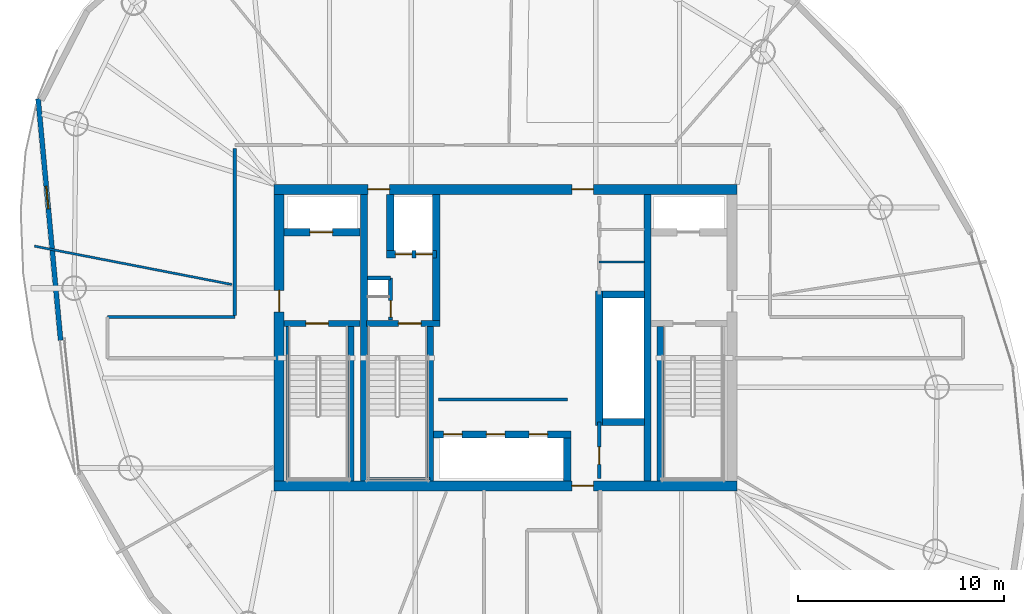
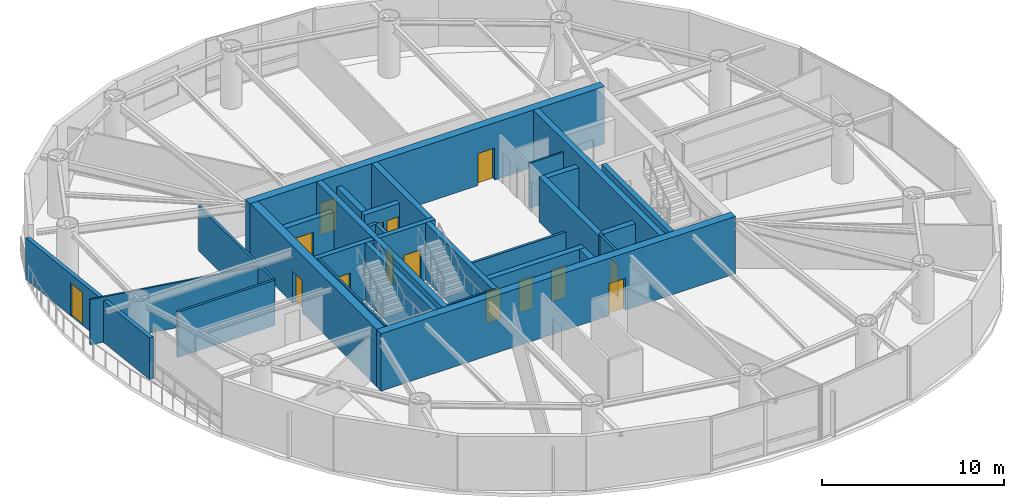
# One storey, part 13 of 18: 30 walls, 15 doors, 15 openings.
"""IFC4 building model written with IfcOpenShell, lengths in metres."""

from ifc_helpers import new_model, si_unit, direction, frame, frame_2d, origin, place, context, subcontext, project, spatial, rectangle, extrude, material, layer, layer_set, type_object, element, fill, save


model = new_model("IFC4")

# Units and contexts
model_context = context("Model", 3, precision=1e-05, world=origin(), true_north=direction((0.0, 1.0)))
body_context = subcontext(model_context, "Body", "Model", "MODEL_VIEW")
ifc_project = project(units=[si_unit("LENGTHUNIT", "METRE"), si_unit("AREAUNIT", "SQUARE_METRE"), si_unit("VOLUMEUNIT", "CUBIC_METRE"), si_unit("PLANEANGLEUNIT", "RADIAN"), si_unit("MASSUNIT", "GRAM", prefix="KILO")], contexts=[model_context])

# Site, building, storey
site_placement = place(None, origin())
site = spatial("IfcSite", under=ifc_project, at=site_placement, CompositionType="ELEMENT")
building_placement = place(site_placement, origin())
building = spatial("IfcBuilding", under=site, at=building_placement, Name="Bramvorn Convention Spire", CompositionType="ELEMENT")
storey_placement = place(building_placement, frame((0.0, 0.0, 182.75)))
storey = spatial("IfcBuildingStorey", under=building, at=storey_placement, Name="L46", CompositionType="ELEMENT", Elevation=182.75)

# Wall, opening, door
ifc_material_1 = material(Name="Concrete C50/60", Category="concrete")
ifc_layer_1 = layer(ifc_material_1, 0.5)
ifc_layer_set_1 = layer_set([ifc_layer_1], Name="Concrete C50/60 - WL-CORE-500")
wall_type_1 = type_object("IfcWallType", Name="WL-CORE-500", PredefinedType="SHEAR", material=ifc_layer_set_1)
wall_1_placement = place(storey_placement, frame((26.75, 18.800048828125, 0.0), z_axis=(0.0, 0.0, 1.0), x_axis=(1.0, 0.0, 0.0)))
wall_1 = element("IfcWall", 1, at=wall_1_placement, inside=storey, type_object=wall_type_1, Name="L46 South RC core shear wall", PredefinedType="SHEAR", context=body_context, shape_type="SweptSolid", body=[
    extrude(rectangle(XDim=22.5, YDim=0.5, at=frame_2d((11.25, 0.0))), origin(), (0.0, 0.0, 1.0), 3.85009765625),
])
opening_1_placement = place(wall_1_placement, frame((14.469970703125, 0.0, 0.0)))
opening_1 = element("IfcOpeningElement", 2, at=opening_1_placement, cuts=wall_1, Name="Opening DL-105", PredefinedType="OPENING", context=body_context, shape_type="SweptSolid", body=[
    extrude(rectangle(XDim=1.050048828125, YDim=2.14990234375, at=frame_2d((0.52490234375, 1.074951171875))), frame((0.0, 0.260009765625, 0.0), z_axis=(0.0, -1.0, 0.0), x_axis=(1.0, 0.0, 0.0)), (0.0, 0.0, 1.0), 0.52001953125),
])
ifc_material_2 = material(Name="Smoke-Sealed Fire Lobby Timber-Core Door", Category="wood")
door_type_1 = type_object("IfcDoorType", Name="DR-LOBBY-1050", OperationType="NOTDEFINED", PredefinedType="DOOR", material=ifc_material_2)
door_1_placement = place(opening_1_placement, origin())
door_1 = element("IfcDoor", 3, at=door_1_placement, inside=storey, type_object=door_type_1, Name="L46 South Lift Lobby fire door", OperationType="SINGLE_SWING_RIGHT", OverallHeight=2.14990234375, OverallWidth=1.050048828125, PredefinedType="DOOR", context=body_context, shape_type="SweptSolid", body=[
    extrude(rectangle(XDim=1.050048828125, YDim=2.14990234375, at=frame_2d((0.52490234375, 1.074951171875))), frame((0.0, 0.02490234375, 0.0), z_axis=(0.0, -1.0, 0.0), x_axis=(1.0, 0.0, 0.0)), (0.0, 0.0, 1.0), 0.050048828125),
])
fill(opening_1, door_1)

# Wall, openings, doors
wall_2_placement = place(storey_placement, frame((26.75, 33.199951171875, 0.0), z_axis=(0.0, 0.0, 1.0), x_axis=(1.0, 0.0, 0.0)))
wall_2 = element("IfcWall", 4, at=wall_2_placement, inside=storey, type_object=wall_type_1, Name="L46 North RC core shear wall", PredefinedType="SHEAR", context=body_context, shape_type="SweptSolid", body=[
    extrude(rectangle(XDim=22.5, YDim=0.5, at=frame_2d((11.25, 0.0))), origin(), (0.0, 0.0, 1.0), 3.85009765625),
])
opening_2_placement = place(wall_2_placement, frame((4.570068359375, 0.0, 0.0)))
opening_2 = element("IfcOpeningElement", 5, at=opening_2_placement, cuts=wall_2, Name="Opening DL-105", PredefinedType="OPENING", context=body_context, shape_type="SweptSolid", body=[
    extrude(rectangle(XDim=1.050048828125, YDim=2.14990234375, at=frame_2d((0.52490234375, 1.074951171875))), frame((0.0, 0.260009765625, 0.0), z_axis=(0.0, -1.0, 0.0), x_axis=(1.0, 0.0, 0.0)), (0.0, 0.0, 1.0), 0.52001953125),
])
opening_3_placement = place(wall_2_placement, frame((14.469970703125, 0.0, 0.0)))
opening_3 = element("IfcOpeningElement", 6, at=opening_3_placement, cuts=wall_2, Name="Opening DL-105", PredefinedType="OPENING", context=body_context, shape_type="SweptSolid", body=[
    extrude(rectangle(XDim=1.050048828125, YDim=2.14990234375, at=frame_2d((0.52490234375, 1.074951171875))), frame((0.0, 0.260009765625, 0.0), z_axis=(0.0, -1.0, 0.0), x_axis=(1.0, 0.0, 0.0)), (0.0, 0.0, 1.0), 0.52001953125),
])
door_2_placement = place(opening_2_placement, origin())
door_2 = element("IfcDoor", 7, at=door_2_placement, inside=storey, type_object=door_type_1, Name="L46 Service & Stair ST3 Lobby north corridor door", OperationType="SINGLE_SWING_LEFT", OverallHeight=2.14990234375, OverallWidth=1.050048828125, PredefinedType="DOOR", context=body_context, shape_type="SweptSolid", body=[
    extrude(rectangle(XDim=1.050048828125, YDim=2.14990234375, at=frame_2d((0.52490234375, 1.074951171875))), frame((0.0, 0.02490234375, 0.0), z_axis=(0.0, -1.0, 0.0), x_axis=(1.0, 0.0, 0.0)), (0.0, 0.0, 1.0), 0.050048828125),
])
fill(opening_2, door_2)
door_3_placement = place(opening_3_placement, origin())
door_3 = element("IfcDoor", 8, at=door_3_placement, inside=storey, type_object=door_type_1, Name="L46 North Lift Lobby fire door", OperationType="SINGLE_SWING_LEFT", OverallHeight=2.14990234375, OverallWidth=1.050048828125, PredefinedType="DOOR", context=body_context, shape_type="SweptSolid", body=[
    extrude(rectangle(XDim=1.050048828125, YDim=2.14990234375, at=frame_2d((0.52490234375, 1.074951171875))), frame((0.0, 0.02490234375, 0.0), z_axis=(0.0, -1.0, 0.0), x_axis=(1.0, 0.0, 0.0)), (0.0, 0.0, 1.0), 0.050048828125),
])
fill(opening_3, door_3)

# Wall, opening, door
wall_3_placement = place(storey_placement, frame((27.0, 19.050048828125, 0.0), z_axis=(0.0, 0.0, 1.0), x_axis=(0.0, 1.0, 0.0)))
wall_3 = element("IfcWall", 9, at=wall_3_placement, inside=storey, type_object=wall_type_1, Name="L46 West RC core shear wall", PredefinedType="SHEAR", context=body_context, shape_type="SweptSolid", body=[
    extrude(rectangle(XDim=13.89990234375, YDim=0.5, at=frame_2d((6.949951171875, 0.0))), origin(), (0.0, 0.0, 1.0), 3.85009765625),
])
opening_4_placement = place(wall_3_placement, frame((8.199951171875, 0.0, 0.0)))
opening_4 = element("IfcOpeningElement", 10, at=opening_4_placement, cuts=wall_3, Name="Opening DL-105", PredefinedType="OPENING", context=body_context, shape_type="SweptSolid", body=[
    extrude(rectangle(XDim=1.050048828125, YDim=2.14990234375, at=frame_2d((0.52490234375, 1.074951171875))), frame((0.0, 0.260009765625, 0.0), z_axis=(0.0, -1.0, 0.0), x_axis=(1.0, 0.0, 0.0)), (0.0, 0.0, 1.0), 0.52001953125),
])
door_4_placement = place(opening_4_placement, origin())
door_4 = element("IfcDoor", 11, at=door_4_placement, inside=storey, type_object=door_type_1, Name="L46 West Firefighting Lobby corridor door", OperationType="SINGLE_SWING_RIGHT", OverallHeight=2.14990234375, OverallWidth=1.050048828125, PredefinedType="DOOR", context=body_context, shape_type="SweptSolid", body=[
    extrude(rectangle(XDim=1.050048828125, YDim=2.14990234375, at=frame_2d((0.52490234375, 1.074951171875))), frame((0.0, 0.02490234375, 0.0), z_axis=(0.0, -1.0, 0.0), x_axis=(1.0, 0.0, 0.0)), (0.0, 0.0, 1.0), 0.050048828125),
])
fill(opening_4, door_4)

# Walls
ifc_layer_2 = layer(ifc_material_1, 0.35009765625)
ifc_layer_set_2 = layer_set([ifc_layer_2], Name="Concrete C50/60 - WL-CORE-INT-350")
wall_type_2 = type_object("IfcWallType", Name="WL-CORE-INT-350", PredefinedType="SHEAR", material=ifc_layer_set_2)
for number, where, z_axis, x_axis, name in (
    (12, (31.1298828125, 19.050048828125, 0.0), (0.0, 0.0, 1.0), (0.0, 1.0, 0.0), "L46 West internal core shear web"),
    (13, (44.89990234375, 19.050048828125, 0.0), (0.0, 0.0, 1.0), (0.0, 1.0, 0.0), "L46 East internal core shear web"),
):
    element("IfcWall", number, at=place(storey_placement, frame(where, z_axis=z_axis, x_axis=x_axis)), inside=storey, type_object=wall_type_2, Name=name, PredefinedType="SHEAR", context=body_context, shape_type="SweptSolid", body=[
        extrude(rectangle(XDim=13.89990234375, YDim=0.35009765625, at=frame_2d((6.949951171875, 0.0))), origin(), (0.0, 0.0, 1.0), 3.85009765625),
    ])

# Wall, opening, door
wall_4_placement = place(storey_placement, frame((27.25, 31.1201171875, 0.0), z_axis=(0.0, 0.0, 1.0), x_axis=(1.0, 0.0, 0.0)))
wall_4 = element("IfcWall", 14, at=wall_4_placement, inside=storey, type_object=wall_type_2, Name="L46 FE1 shaft front wall", PredefinedType="SHEAR", context=body_context, shape_type="SweptSolid", body=[
    extrude(rectangle(XDim=3.669921875, YDim=0.35009765625, at=frame_2d((1.8349609375, 0.0))), origin(), (0.0, 0.0, 1.0), 3.034912109375),
])
opening_5_placement = place(wall_4_placement, frame((1.25, 0.0, 0.0)))
opening_5 = element("IfcOpeningElement", 15, at=opening_5_placement, cuts=wall_4, Name="Opening LD-110", PredefinedType="OPENING", context=body_context, shape_type="SweptSolid", body=[
    extrude(rectangle(XDim=1.10009765625, YDim=2.14990234375, at=frame_2d((0.550048828125, 1.074951171875))), frame((0.0, 0.18505859375, 0.0), z_axis=(0.0, -1.0, 0.0), x_axis=(1.0, 0.0, 0.0)), (0.0, 0.0, 1.0), 0.3701171875),
])
ifc_material_3 = material(Name="Firefighting & Service Lift Sliding Landing Door", Category="steel")
door_type_2 = type_object("IfcDoorType", Name="DR-LIFT-LD-1100", OperationType="NOTDEFINED", PredefinedType="DOOR", material=ifc_material_3)
door_5_placement = place(opening_5_placement, origin())
door_5 = element("IfcDoor", 16, at=door_5_placement, inside=storey, type_object=door_type_2, Name="L46 Lift FE1 Sliding Landing Door", OperationType="SLIDING_TO_LEFT", OverallHeight=2.14990234375, OverallWidth=1.10009765625, PredefinedType="DOOR", context=body_context, shape_type="SweptSolid", body=[
    extrude(rectangle(XDim=1.10009765625, YDim=2.14990234375, at=frame_2d((0.550048828125, 1.074951171875))), frame((0.0, 0.02490234375, 0.0), z_axis=(0.0, -1.0, 0.0), x_axis=(1.0, 0.0, 0.0)), (0.0, 0.0, 1.0), 0.050048828125),
])
fill(opening_5, door_5)

# Wall
wall_5_placement = place(storey_placement, frame((34.639892578125, 26.68994140625, 0.0), z_axis=(0.0, 0.0, 1.0), x_axis=(0.0, 1.0, 0.0)))
element("IfcWall", 17, at=wall_5_placement, inside=storey, type_object=wall_type_2, Name="L46 SV east core shaft wall", PredefinedType="SHEAR", context=body_context, shape_type="SweptSolid", body=[
    extrude(rectangle(XDim=6.260009765625, YDim=0.35009765625, at=frame_2d((3.1298828125, 0.0))), origin(), (0.0, 0.0, 1.0), 3.85009765625),
])

# Wall, openings, doors
wall_6_placement = place(storey_placement, frame((32.22998046875, 30.050048828125, 0.0), z_axis=(0.0, 0.0, 1.0), x_axis=(1.0, 0.0, 0.0)))
wall_6 = element("IfcWall", 18, at=wall_6_placement, inside=storey, type_object=wall_type_2, Name="L46 SV1/SV2 shaft front wall", PredefinedType="SHEAR", context=body_context, shape_type="SweptSolid", body=[
    extrude(rectangle(XDim=2.409912109375, YDim=0.35009765625, at=frame_2d((1.205078125, 0.0))), origin(), (0.0, 0.0, 1.0), 3.034912109375),
])
opening_6_placement = place(wall_6_placement, frame((0.419921875, 0.0, 0.0)))
opening_6 = element("IfcOpeningElement", 19, at=opening_6_placement, cuts=wall_6, Name="Opening LD-080", PredefinedType="OPENING", context=body_context, shape_type="SweptSolid", body=[
    extrude(rectangle(XDim=0.800048828125, YDim=2.14990234375, at=frame_2d((0.39990234375, 1.074951171875))), frame((0.0, 0.18505859375, 0.0), z_axis=(0.0, -1.0, 0.0), x_axis=(1.0, 0.0, 0.0)), (0.0, 0.0, 1.0), 0.3701171875),
])
opening_7_placement = place(wall_6_placement, frame((1.419921875, 0.0, 0.0)))
opening_7 = element("IfcOpeningElement", 20, at=opening_7_placement, cuts=wall_6, Name="Opening LD-080", PredefinedType="OPENING", context=body_context, shape_type="SweptSolid", body=[
    extrude(rectangle(XDim=0.800048828125, YDim=2.14990234375, at=frame_2d((0.39990234375, 1.074951171875))), frame((0.0, 0.18505859375, 0.0), z_axis=(0.0, -1.0, 0.0), x_axis=(1.0, 0.0, 0.0)), (0.0, 0.0, 1.0), 0.3701171875),
])
ifc_material_4 = material(Name="Service Lift Bi-Parting Landing Door", Category="steel")
door_type_3 = type_object("IfcDoorType", Name="DR-LIFT-LD-800", OperationType="NOTDEFINED", PredefinedType="DOOR", material=ifc_material_4)
door_6_placement = place(opening_6_placement, origin())
door_6 = element("IfcDoor", 21, at=door_6_placement, inside=storey, type_object=door_type_3, Name="L46 Lift SV1 Sliding Landing Door", OperationType="SLIDING_TO_LEFT", OverallHeight=2.14990234375, OverallWidth=0.800048828125, PredefinedType="DOOR", context=body_context, shape_type="SweptSolid", body=[
    extrude(rectangle(XDim=0.800048828125, YDim=2.14990234375, at=frame_2d((0.39990234375, 1.074951171875))), frame((0.0, 0.02490234375, 0.0), z_axis=(0.0, -1.0, 0.0), x_axis=(1.0, 0.0, 0.0)), (0.0, 0.0, 1.0), 0.050048828125),
])
fill(opening_6, door_6)
door_7_placement = place(opening_7_placement, origin())
door_7 = element("IfcDoor", 22, at=door_7_placement, inside=storey, type_object=door_type_3, Name="L46 Lift SV2 Sliding Landing Door", OperationType="SLIDING_TO_LEFT", OverallHeight=2.14990234375, OverallWidth=0.800048828125, PredefinedType="DOOR", context=body_context, shape_type="SweptSolid", body=[
    extrude(rectangle(XDim=0.800048828125, YDim=2.14990234375, at=frame_2d((0.39990234375, 1.074951171875))), frame((0.0, 0.02490234375, 0.0), z_axis=(0.0, -1.0, 0.0), x_axis=(1.0, 0.0, 0.0)), (0.0, 0.0, 1.0), 0.050048828125),
])
fill(opening_7, door_7)

# Walls
wall_7_placement = place(storey_placement, frame((32.39990234375, 30.219970703125, 0.0), z_axis=(0.0, 0.0, 1.0), x_axis=(0.0, 1.0, 0.0)))
element("IfcWall", 23, at=wall_7_placement, inside=storey, type_object=wall_type_2, Name="L46 SV1 west hoistway wall", PredefinedType="SHEAR", context=body_context, shape_type="SweptSolid", body=[
    extrude(rectangle(XDim=2.72998046875, YDim=0.35009765625, at=frame_2d((1.364990234375, 0.0))), origin(), (0.0, 0.0, 1.0), 3.034912109375),
])
wall_8_placement = place(storey_placement, frame((42.550048828125, 21.72998046875, 0.0), z_axis=(0.0, 0.0, 1.0), x_axis=(0.0, 1.0, 0.0)))
element("IfcWall", 24, at=wall_8_placement, inside=storey, type_object=wall_type_2, Name="L46 High-rise lift bank west wall", PredefinedType="SHEAR", context=body_context, shape_type="SweptSolid", body=[
    extrude(rectangle(XDim=6.5400390625, YDim=0.35009765625, at=frame_2d((3.27001953125, 0.0))), origin(), (0.0, 0.0, 1.0), 3.034912109375),
])
for number, where, z_axis, x_axis, name in (
    (25, (42.719970703125, 21.89990234375, 0.0), (0.0, 0.0, 1.0), (1.0, 0.0, 0.0), "L46 High-rise lift bank south wall"),
    (26, (42.719970703125, 28.10009765625, 0.0), (0.0, 0.0, 1.0), (1.0, 0.0, 0.0), "L46 High-rise lift bank north wall"),
):
    element("IfcWall", number, at=place(storey_placement, frame(where, z_axis=z_axis, x_axis=x_axis)), inside=storey, type_object=wall_type_2, Name=name, PredefinedType="SHEAR", context=body_context, shape_type="SweptSolid", body=[
        extrude(rectangle(XDim=2.030029296875, YDim=0.35009765625, at=frame_2d((1.01513671875, 0.0))), origin(), (0.0, 0.0, 1.0), 3.034912109375),
    ])

# Wall, openings, doors
wall_9_placement = place(storey_placement, frame((34.489990234375, 21.300048828125, 0.0), z_axis=(0.0, 0.0, 1.0), x_axis=(1.0, 0.0, 0.0)))
wall_9 = element("IfcWall", 27, at=wall_9_placement, inside=storey, type_object=wall_type_2, Name="L46 Mid-rise bank north landing wall", PredefinedType="SHEAR", context=body_context, shape_type="SweptSolid", body=[
    extrude(rectangle(XDim=6.679931640625, YDim=0.35009765625, at=frame_2d((3.33984375, 0.0))), origin(), (0.0, 0.0, 1.0), 3.034912109375),
])
opening_8_placement = place(wall_9_placement, frame((0.5, 0.0, 0.0)))
opening_8 = element("IfcOpeningElement", 28, at=opening_8_placement, cuts=wall_9, Name="Opening LD-090", PredefinedType="OPENING", context=body_context, shape_type="SweptSolid", body=[
    extrude(rectangle(XDim=0.89990234375, YDim=2.14990234375, at=frame_2d((0.449951171875, 1.074951171875))), frame((0.0, 0.18505859375, 0.0), z_axis=(0.0, -1.0, 0.0), x_axis=(1.0, 0.0, 0.0)), (0.0, 0.0, 1.0), 0.3701171875),
])
opening_9_placement = place(wall_9_placement, frame((2.580078125, 0.0, 0.0)))
opening_9 = element("IfcOpeningElement", 29, at=opening_9_placement, cuts=wall_9, Name="Opening LD-090", PredefinedType="OPENING", context=body_context, shape_type="SweptSolid", body=[
    extrude(rectangle(XDim=0.89990234375, YDim=2.14990234375, at=frame_2d((0.449951171875, 1.074951171875))), frame((0.0, 0.18505859375, 0.0), z_axis=(0.0, -1.0, 0.0), x_axis=(1.0, 0.0, 0.0)), (0.0, 0.0, 1.0), 0.3701171875),
])
opening_10_placement = place(wall_9_placement, frame((4.659912109375, 0.0, 0.0)))
opening_10 = element("IfcOpeningElement", 30, at=opening_10_placement, cuts=wall_9, Name="Opening LD-090", PredefinedType="OPENING", context=body_context, shape_type="SweptSolid", body=[
    extrude(rectangle(XDim=0.89990234375, YDim=2.14990234375, at=frame_2d((0.449951171875, 1.074951171875))), frame((0.0, 0.18505859375, 0.0), z_axis=(0.0, -1.0, 0.0), x_axis=(1.0, 0.0, 0.0)), (0.0, 0.0, 1.0), 0.3701171875),
])
ifc_material_5 = material(Name="Bi-Parting Fire-Rated Lift Landing Door", Category="steel")
door_type_4 = type_object("IfcDoorType", Name="DR-LIFT-LD-900", OperationType="NOTDEFINED", PredefinedType="DOOR", material=ifc_material_5)
door_8_placement = place(opening_8_placement, origin())
door_8 = element("IfcDoor", 31, at=door_8_placement, inside=storey, type_object=door_type_4, Name="L46 Lift PM1 Sliding Landing Door", OperationType="SLIDING_TO_LEFT", OverallHeight=2.14990234375, OverallWidth=0.89990234375, PredefinedType="DOOR", context=body_context, shape_type="SweptSolid", body=[
    extrude(rectangle(XDim=0.89990234375, YDim=2.14990234375, at=frame_2d((0.449951171875, 1.074951171875))), frame((0.0, 0.02490234375, 0.0), z_axis=(0.0, -1.0, 0.0), x_axis=(1.0, 0.0, 0.0)), (0.0, 0.0, 1.0), 0.050048828125),
])
fill(opening_8, door_8)
door_9_placement = place(opening_9_placement, origin())
door_9 = element("IfcDoor", 32, at=door_9_placement, inside=storey, type_object=door_type_4, Name="L46 Lift PM2 Sliding Landing Door", OperationType="SLIDING_TO_LEFT", OverallHeight=2.14990234375, OverallWidth=0.89990234375, PredefinedType="DOOR", context=body_context, shape_type="SweptSolid", body=[
    extrude(rectangle(XDim=0.89990234375, YDim=2.14990234375, at=frame_2d((0.449951171875, 1.074951171875))), frame((0.0, 0.02490234375, 0.0), z_axis=(0.0, -1.0, 0.0), x_axis=(1.0, 0.0, 0.0)), (0.0, 0.0, 1.0), 0.050048828125),
])
fill(opening_9, door_9)
door_10_placement = place(opening_10_placement, origin())
door_10 = element("IfcDoor", 33, at=door_10_placement, inside=storey, type_object=door_type_4, Name="L46 Lift PM3 Sliding Landing Door", OperationType="SLIDING_TO_LEFT", OverallHeight=2.14990234375, OverallWidth=0.89990234375, PredefinedType="DOOR", context=body_context, shape_type="SweptSolid", body=[
    extrude(rectangle(XDim=0.89990234375, YDim=2.14990234375, at=frame_2d((0.449951171875, 1.074951171875))), frame((0.0, 0.02490234375, 0.0), z_axis=(0.0, -1.0, 0.0), x_axis=(1.0, 0.0, 0.0)), (0.0, 0.0, 1.0), 0.050048828125),
])
fill(opening_10, door_10)

# Wall
wall_10_placement = place(storey_placement, frame((41.0, 19.050048828125, 0.0), z_axis=(0.0, 0.0, 1.0), x_axis=(0.0, 1.0, 0.0)))
element("IfcWall", 34, at=wall_10_placement, inside=storey, type_object=wall_type_2, Name="L46 Mid-rise bank east cheek wall", PredefinedType="SHEAR", context=body_context, shape_type="SweptSolid", body=[
    extrude(rectangle(XDim=2.079833984375, YDim=0.35009765625, at=frame_2d((1.0400390625, 0.0))), origin(), (0.0, 0.0, 1.0), 3.034912109375),
])

# Wall, opening, door
ifc_material_6 = material(Name="Precast Concrete C40/50 Insulated Terrace Wall", Category="concrete")
ifc_layer_3 = layer(ifc_material_6, 0.280029296875)
ifc_layer_set_3 = layer_set([ifc_layer_3], Name="Precast Concrete C40/50 Insulated Terrace Wall - WL-EXT-TERR-280")
wall_type_3 = type_object("IfcWallType", Name="WL-EXT-TERR-280", PredefinedType="SOLIDWALL", material=ifc_layer_set_3)
wall_11_placement = place(storey_placement, frame((16.39306640625, 25.871826171875, 0.0), z_axis=(0.0, 0.0, 1.0), x_axis=(-0.092960122744, 0.995669832615, 0.0)))
wall_11 = element("IfcWall", 35, at=wall_11_placement, inside=storey, type_object=wall_type_3, Name="L46 Sky Garden recessed terrace wall", PredefinedType="SOLIDWALL", context=body_context, shape_type="SweptSolid", body=[
    extrude(rectangle(XDim=11.7841796875, YDim=0.239990234375, at=frame_2d((5.89208984375, 0.0))), origin(), (0.0, 0.0, 1.0), 2.800048828125),
])
opening_11_placement = place(wall_11_placement, frame((6.410400390625, 0.0, 0.0)))
opening_11 = element("IfcOpeningElement", 36, at=opening_11_placement, cuts=wall_11, Name="Opening DE05", PredefinedType="OPENING", context=body_context, shape_type="SweptSolid", body=[
    extrude(rectangle(XDim=1.10009765625, YDim=2.199951171875, at=frame_2d((0.550048828125, 1.10009765625))), frame((0.0, 0.1298828125, 0.0), z_axis=(0.0, -1.0, 0.0), x_axis=(1.0, 0.0, 0.0)), (0.0, 0.0, 1.0), 0.260009765625),
])
ifc_material_7 = material(Name="Anodised Bronze Aluminium & Laminated Safety Glass", Category="aluminium")
door_type_5 = type_object("IfcDoorType", Name="DR-EXT-1100X2200", OperationType="NOTDEFINED", PredefinedType="DOOR", material=ifc_material_7)
door_11_placement = place(opening_11_placement, origin())
door_11 = element("IfcDoor", 37, at=door_11_placement, inside=storey, type_object=door_type_5, Name="L46 Sky Garden Lounge exterior terrace door", OperationType="SINGLE_SWING_LEFT", OverallHeight=2.199951171875, OverallWidth=1.10009765625, PredefinedType="DOOR", context=body_context, shape_type="SweptSolid", body=[
    extrude(rectangle(XDim=1.10009765625, YDim=2.199951171875, at=frame_2d((0.550048828125, 1.10009765625))), frame((0.0, 0.02490234375, 0.0), z_axis=(0.0, -1.0, 0.0), x_axis=(1.0, 0.0, 0.0)), (0.0, 0.0, 1.0), 0.050048828125),
])
fill(opening_11, door_11)

# Walls
ifc_material_8 = material(Name="Lightweight En-Suite & Wet-Wall Partition", Category="gypsum")
ifc_layer_4 = layer(ifc_material_8, 0.110107421875)
ifc_layer_set_4 = layer_set([ifc_layer_4], Name="Lightweight En-Suite & Wet-Wall Partition - WL-PART-110")
wall_type_4 = type_object("IfcWallType", Name="WL-PART-110", PredefinedType="PARTITIONING", material=ifc_layer_set_4)
wall_12_placement = place(storey_placement, frame((42.550048828125, 29.679931640625, 0.0), z_axis=(0.0, 0.0, 1.0), x_axis=(1.0, 0.0, 0.0)))
element("IfcWall", 38, at=wall_12_placement, inside=storey, type_object=wall_type_4, Name="L46 KC NE div 1", PredefinedType="PARTITIONING", context=body_context, shape_type="SweptSolid", body=[
    extrude(rectangle(XDim=2.199951171875, YDim=0.110107421875, at=frame_2d((1.10009765625, 0.0))), origin(), (0.0, 0.0, 1.0), 3.034912109375),
])
wall_13_placement = place(storey_placement, frame((24.7099609375, 28.583251953125, 0.0), z_axis=(0.0, 0.0, 1.0), x_axis=(-0.981627099971, 0.190809424827, 0.0)))
element("IfcWall", 39, at=wall_13_placement, inside=storey, type_object=wall_type_4, Name="L46 Tenant suite partition 5", PredefinedType="PARTITIONING", context=body_context, shape_type="SweptSolid", body=[
    extrude(rectangle(XDim=9.763916015625, YDim=0.110107421875, at=frame_2d((4.8818359375, 0.0))), origin(), (0.0, 0.0, 1.0), 3.034912109375),
])
ifc_material_9 = material(Name="Acoustic Metal-Stud Tenant/Corridor Partition", Category="gypsum")
ifc_layer_5 = layer(ifc_material_9, 0.14990234375)
ifc_layer_set_5 = layer_set([ifc_layer_5], Name="Acoustic Metal-Stud Tenant/Corridor Partition - WL-PART-150")
wall_type_5 = type_object("IfcWallType", Name="WL-PART-150", PredefinedType="PARTITIONING", material=ifc_layer_set_5)
wall_14_placement = place(storey_placement, frame((34.75, 23.0, 0.0), z_axis=(0.0, 0.0, 1.0), x_axis=(1.0, 0.0, 0.0)))
element("IfcWall", 40, at=wall_14_placement, inside=storey, type_object=wall_type_5, Name="L46 Mid-rise lift vestibule north wall", PredefinedType="PARTITIONING", context=body_context, shape_type="SweptSolid", body=[
    extrude(rectangle(XDim=6.25, YDim=0.14990234375, at=frame_2d((3.125, 0.0))), origin(), (0.0, 0.0, 1.0), 3.034912109375),
])

# Wall, opening, door
wall_15_placement = place(storey_placement, frame((42.550048828125, 19.14990234375, 0.0), z_axis=(0.0, 0.0, 1.0), x_axis=(0.0, 1.0, 0.0)))
wall_15 = element("IfcWall", 41, at=wall_15_placement, inside=storey, type_object=wall_type_5, Name="L46 KC SE wall", PredefinedType="PARTITIONING", context=body_context, shape_type="SweptSolid", body=[
    extrude(rectangle(XDim=2.75, YDim=0.14990234375, at=frame_2d((1.375, 0.0))), origin(), (0.0, 0.0, 1.0), 3.034912109375),
])
opening_12_placement = place(wall_15_placement, frame((0.699951171875, 0.0, 0.0)))
opening_12 = element("IfcOpeningElement", 42, at=opening_12_placement, cuts=wall_15, Name="Opening DC-085", PredefinedType="OPENING", context=body_context, shape_type="SweptSolid", body=[
    extrude(rectangle(XDim=0.85009765625, YDim=2.10009765625, at=frame_2d((0.425048828125, 1.050048828125))), frame((0.0, 0.0849609375, 0.0), z_axis=(0.0, -1.0, 0.0), x_axis=(1.0, 0.0, 0.0)), (0.0, 0.0, 1.0), 0.169921875),
])
ifc_material_10 = material(Name="Fire-Rated Core Washroom & IDF Door", Category="wood")
door_type_6 = type_object("IfcDoorType", Name="DR-CORE-850", OperationType="NOTDEFINED", PredefinedType="DOOR", material=ifc_material_10)
door_12_placement = place(opening_12_placement, origin())
door_12 = element("IfcDoor", 43, at=door_12_placement, inside=storey, type_object=door_type_6, Name="L46 Core Valve & Riser Room door", OperationType="SINGLE_SWING_LEFT", OverallHeight=2.10009765625, OverallWidth=0.85009765625, PredefinedType="DOOR", context=body_context, shape_type="SweptSolid", body=[
    extrude(rectangle(XDim=0.85009765625, YDim=2.10009765625, at=frame_2d((0.425048828125, 1.050048828125))), frame((0.0, 0.02490234375, 0.0), z_axis=(0.0, -1.0, 0.0), x_axis=(1.0, 0.0, 0.0)), (0.0, 0.0, 1.0), 0.050048828125),
])
fill(opening_12, door_12)

# Walls
wall_16_placement = place(storey_placement, frame((24.85009765625, 27.080078125, 0.0), z_axis=(0.0, 0.0, 1.0), x_axis=(0.0, 1.0, 0.0)))
element("IfcWall", 44, at=wall_16_placement, inside=storey, type_object=wall_type_5, Name="L46 NW gallery cheek", PredefinedType="PARTITIONING", context=body_context, shape_type="SweptSolid", body=[
    extrude(rectangle(XDim=8.119873046875, YDim=0.14990234375, at=frame_2d((4.06005859375, 0.0))), origin(), (0.0, 0.0, 1.0), 3.034912109375),
])
wall_17_placement = place(storey_placement, frame((18.67822265625, 27.0, 0.0), z_axis=(0.0, 0.0, 1.0), x_axis=(1.0, 0.0, 0.0)))
element("IfcWall", 45, at=wall_17_placement, inside=storey, type_object=wall_type_5, Name="L46 West wing spine north wall", PredefinedType="PARTITIONING", context=body_context, shape_type="SweptSolid", body=[
    extrude(rectangle(XDim=6.171875, YDim=0.14990234375, at=frame_2d((3.0859375, 0.0))), origin(), (0.0, 0.0, 1.0), 3.034912109375),
])

# Wall, opening, door
ifc_material_11 = material(Name="Gypsum Shaftwall & Rockwool Core Partition", Category="gypsum")
ifc_layer_6 = layer(ifc_material_11, 0.199951171875)
ifc_layer_set_6 = layer_set([ifc_layer_6], Name="Gypsum Shaftwall & Rockwool Core Partition - WL-PART-200-FR")
wall_type_6 = type_object("IfcWallType", Name="WL-PART-200-FR", PredefinedType="PARTITIONING", material=ifc_layer_set_6)
wall_18_placement = place(storey_placement, frame((32.419921875, 26.860107421875, 0.0), z_axis=(0.0, 0.0, 1.0), x_axis=(0.0, 1.0, 0.0)))
wall_18 = element("IfcWall", 46, at=wall_18_placement, inside=storey, type_object=wall_type_6, Name="L46 Telecom riser east wall", PredefinedType="PARTITIONING", context=body_context, shape_type="SweptSolid", body=[
    extrude(rectangle(XDim=2.039794921875, YDim=0.199951171875, at=frame_2d((1.02001953125, 0.0))), origin(), (0.0, 0.0, 1.0), 3.034912109375),
])
opening_13_placement = place(wall_18_placement, frame((0.139892578125, 0.0, 0.0)))
opening_13 = element("IfcOpeningElement", 47, at=opening_13_placement, cuts=wall_18, Name="Opening DR-080", PredefinedType="OPENING", context=body_context, shape_type="SweptSolid", body=[
    extrude(rectangle(XDim=0.800048828125, YDim=2.050048828125, at=frame_2d((0.39990234375, 1.02490234375))), frame((0.0, 0.10986328125, 0.0), z_axis=(0.0, -1.0, 0.0), x_axis=(1.0, 0.0, 0.0)), (0.0, 0.0, 1.0), 0.219970703125),
])
ifc_material_12 = material(Name="Flush Steel Riser Access Door", Category="steel")
door_type_7 = type_object("IfcDoorType", Name="DR-RISER-800", OperationType="NOTDEFINED", PredefinedType="DOOR", material=ifc_material_12)
door_13_placement = place(opening_13_placement, origin())
door_13 = element("IfcDoor", 48, at=door_13_placement, inside=storey, type_object=door_type_7, Name="L46 Telecom riser access door", OperationType="SINGLE_SWING_RIGHT", OverallHeight=2.050048828125, OverallWidth=0.800048828125, PredefinedType="DOOR", context=body_context, shape_type="SweptSolid", body=[
    extrude(rectangle(XDim=0.800048828125, YDim=2.050048828125, at=frame_2d((0.39990234375, 1.02490234375))), frame((0.0, 0.02490234375, 0.0), z_axis=(0.0, -1.0, 0.0), x_axis=(1.0, 0.0, 0.0)), (0.0, 0.0, 1.0), 0.050048828125),
])
fill(opening_13, door_13)

# Wall
wall_19_placement = place(storey_placement, frame((31.300048828125, 28.89990234375, 0.0), z_axis=(0.0, 0.0, 1.0), x_axis=(1.0, 0.0, 0.0)))
element("IfcWall", 49, at=wall_19_placement, inside=storey, type_object=wall_type_6, Name="L46 Telecom riser north wall", PredefinedType="PARTITIONING", context=body_context, shape_type="SweptSolid", body=[
    extrude(rectangle(XDim=1.119873046875, YDim=0.199951171875, at=frame_2d((0.56005859375, 0.0))), origin(), (0.0, 0.0, 1.0), 3.034912109375),
])

# Wall, opening, door
ifc_layer_7 = layer(ifc_material_1, 0.300048828125)
ifc_layer_set_7 = layer_set([ifc_layer_7], Name="Concrete C50/60 - WL-POD-STAIR-300")
wall_type_7 = type_object("IfcWallType", Name="WL-POD-STAIR-300", PredefinedType="SHEAR", material=ifc_layer_set_7)
wall_20_placement = place(storey_placement, frame((27.25, 26.68994140625, 0.0), z_axis=(0.0, 0.0, 1.0), x_axis=(1.0, 0.0, 0.0)))
wall_20 = element("IfcWall", 50, at=wall_20_placement, inside=storey, type_object=wall_type_7, Name="L46 ST1 north fire wall", PredefinedType="SHEAR", context=body_context, shape_type="SweptSolid", body=[
    extrude(rectangle(XDim=3.669921875, YDim=0.300048828125, at=frame_2d((1.8349609375, 0.0))), origin(), (0.0, 0.0, 1.0), 3.85009765625),
])
opening_14_placement = place(wall_20_placement, frame((1.050048828125, 0.0, 0.0)))
opening_14 = element("IfcOpeningElement", 51, at=opening_14_placement, cuts=wall_20, Name="Opening DS-110", PredefinedType="OPENING", context=body_context, shape_type="SweptSolid", body=[
    extrude(rectangle(XDim=1.10009765625, YDim=2.14990234375, at=frame_2d((0.550048828125, 1.074951171875))), frame((0.0, 0.159912109375, 0.0), z_axis=(0.0, -1.0, 0.0), x_axis=(1.0, 0.0, 0.0)), (0.0, 0.0, 1.0), 0.320068359375),
])
ifc_material_13 = material(Name="Fire-Rated Hollow Steel Stairwell Door", Category="steel")
door_type_8 = type_object("IfcDoorType", Name="DR-STAIR-1100", OperationType="NOTDEFINED", PredefinedType="DOOR", material=ifc_material_13)
door_14_placement = place(opening_14_placement, origin())
door_14 = element("IfcDoor", 52, at=door_14_placement, inside=storey, type_object=door_type_8, Name="L46 Stair ST1 fire door", OperationType="SINGLE_SWING_LEFT", OverallHeight=2.14990234375, OverallWidth=1.10009765625, PredefinedType="DOOR", context=body_context, shape_type="SweptSolid", body=[
    extrude(rectangle(XDim=1.10009765625, YDim=2.14990234375, at=frame_2d((0.550048828125, 1.074951171875))), frame((0.0, 0.02490234375, 0.0), z_axis=(0.0, -1.0, 0.0), x_axis=(1.0, 0.0, 0.0)), (0.0, 0.0, 1.0), 0.050048828125),
])
fill(opening_14, door_14)

# Walls
for number, where, z_axis, x_axis, name in (
    (53, (30.489990234375, 19.050048828125, 0.0), (0.0, 0.0, 1.0), (0.0, 1.0, 0.0), "L46 ST1 east bearing wall"),
    (54, (45.510009765625, 19.050048828125, 0.0), (0.0, 0.0, 1.0), (0.0, 1.0, 0.0), "L46 ST2 west bearing wall"),
    (55, (34.340087890625, 19.050048828125, 0.0), (0.0, 0.0, 1.0), (0.0, 1.0, 0.0), "L46 ST3 east bearing wall"),
):
    element("IfcWall", number, at=place(storey_placement, frame(where, z_axis=z_axis, x_axis=x_axis)), inside=storey, type_object=wall_type_7, Name=name, PredefinedType="SHEAR", context=body_context, shape_type="SweptSolid", body=[
        extrude(rectangle(XDim=7.5, YDim=0.300048828125, at=frame_2d((3.75, 0.0))), origin(), (0.0, 0.0, 1.0), 3.85009765625),
    ])

# Wall, opening, door
wall_21_placement = place(storey_placement, frame((31.25, 26.68994140625, 0.0), z_axis=(0.0, 0.0, 1.0), x_axis=(1.0, 0.0, 0.0)))
wall_21 = element("IfcWall", 56, at=wall_21_placement, inside=storey, type_object=wall_type_7, Name="L46 ST3 north lobby wall", PredefinedType="SHEAR", context=body_context, shape_type="SweptSolid", body=[
    extrude(rectangle(XDim=3.56005859375, YDim=0.300048828125, at=frame_2d((1.780029296875, 0.0))), origin(), (0.0, 0.0, 1.0), 3.85009765625),
])
opening_15_placement = place(wall_21_placement, frame((1.550048828125, 0.0, 0.0)))
opening_15 = element("IfcOpeningElement", 57, at=opening_15_placement, cuts=wall_21, Name="Opening DS-110", PredefinedType="OPENING", context=body_context, shape_type="SweptSolid", body=[
    extrude(rectangle(XDim=1.10009765625, YDim=2.14990234375, at=frame_2d((0.550048828125, 1.074951171875))), frame((0.0, 0.159912109375, 0.0), z_axis=(0.0, -1.0, 0.0), x_axis=(1.0, 0.0, 0.0)), (0.0, 0.0, 1.0), 0.320068359375),
])
door_15_placement = place(opening_15_placement, origin())
door_15 = element("IfcDoor", 58, at=door_15_placement, inside=storey, type_object=door_type_8, Name="L46 Stair ST3 fire door", OperationType="SINGLE_SWING_LEFT", OverallHeight=2.14990234375, OverallWidth=1.10009765625, PredefinedType="DOOR", context=body_context, shape_type="SweptSolid", body=[
    extrude(rectangle(XDim=1.10009765625, YDim=2.14990234375, at=frame_2d((0.550048828125, 1.074951171875))), frame((0.0, 0.02490234375, 0.0), z_axis=(0.0, -1.0, 0.0), x_axis=(1.0, 0.0, 0.0)), (0.0, 0.0, 1.0), 0.050048828125),
])
fill(opening_15, door_15)

# Walls
ifc_layer_8 = layer(ifc_material_1, 0.1201171875)
ifc_layer_set_8 = layer_set([ifc_layer_8], Name="Concrete C50/60 - WL-STAIR-RC-120")
wall_type_8 = type_object("IfcWallType", Name="WL-STAIR-RC-120", PredefinedType="SHEAR", material=ifc_layer_set_8)
wall_22_placement = place(storey_placement, frame((27.39501953125, 19.10009765625, 0.0), z_axis=(0.0, 0.0, 1.0), x_axis=(0.0, 1.0, 0.0)))
element("IfcWall", 59, at=wall_22_placement, inside=storey, type_object=wall_type_8, Name="L46 ST1 west bearing shear wall", PredefinedType="SHEAR", context=body_context, shape_type="SweptSolid", body=[
    extrude(rectangle(XDim=7.449951171875, YDim=0.1201171875, at=frame_2d((3.72509765625, 0.0))), origin(), (0.0, 0.0, 1.0), 3.85009765625),
])
wall_23_placement = place(storey_placement, frame((31.300048828125, 19.159912109375, 0.0), z_axis=(0.0, 0.0, 1.0), x_axis=(1.0, 0.0, 0.0)))
element("IfcWall", 60, at=wall_23_placement, inside=storey, type_object=wall_type_8, Name="L46 ST3 south bearing shear wall", PredefinedType="SHEAR", context=body_context, shape_type="SweptSolid", body=[
    extrude(rectangle(XDim=3.0400390625, YDim=0.1201171875, at=frame_2d((1.52001953125, 0.0))), origin(), (0.0, 0.0, 1.0), 3.85009765625),
])

save(model, "model.ifc")
